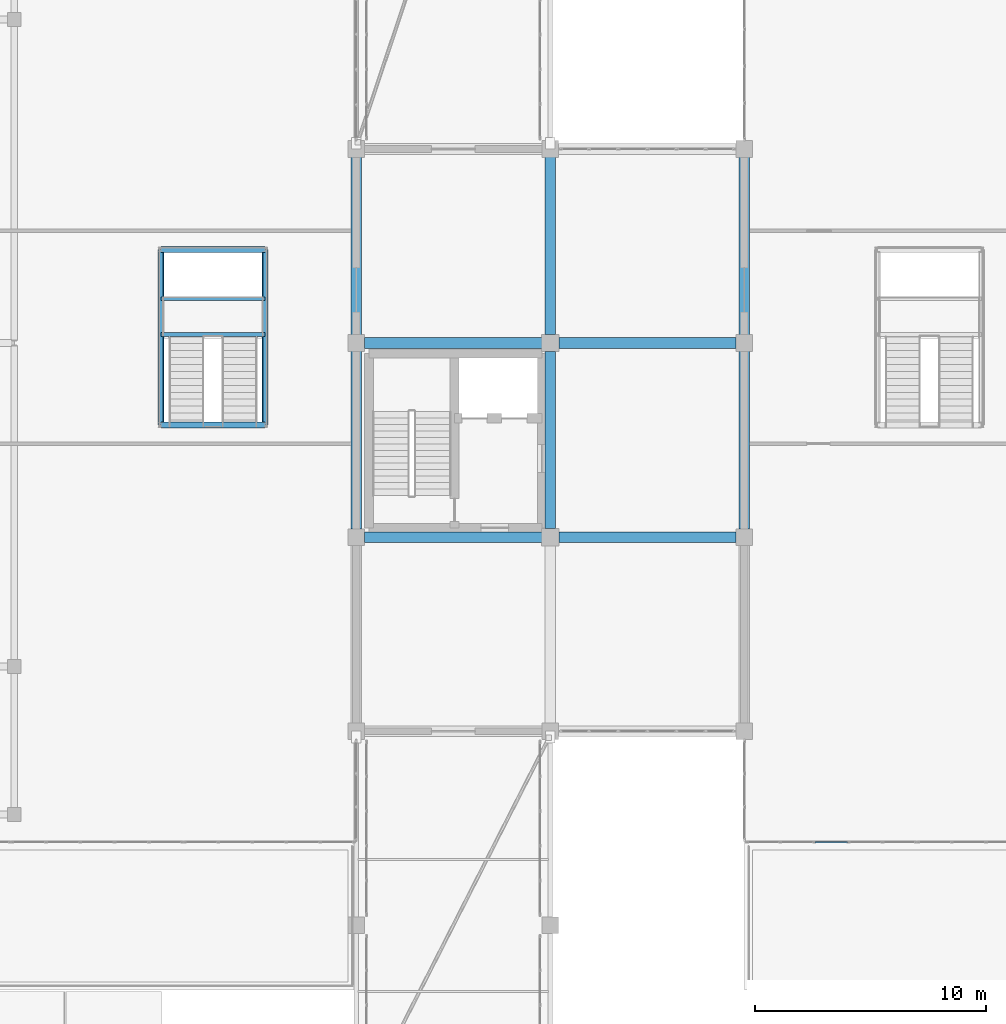
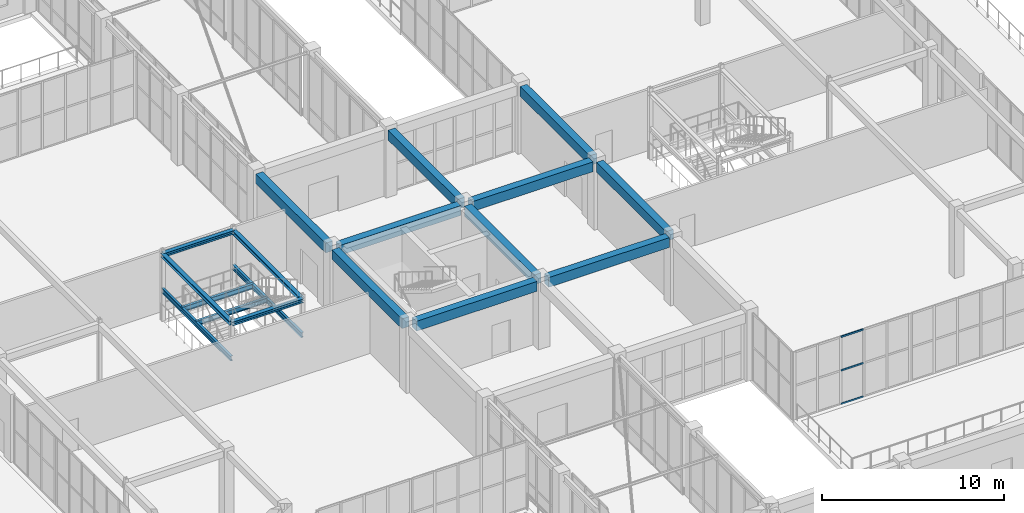
# One storey, part 46 of 158: 18 beams, 3 members, 1 element without a shape of its own.
"""IFC4 building model written with IfcOpenShell, lengths in metres."""

import ifcopenshell
import ifcopenshell.guid

model = None  # the IFC model being written
_history = None  # IfcOwnerHistory: only IFC2X3 demands one
_inside = {}  # id of a spatial element -> (the spatial element, [elements in it])
_under = {}  # id of a project, library or spatial element -> (it, [spatial elements below it])
_declared = {}  # id of a project -> (the project, [libraries it declares])
_typed = {}  # id of a type object -> (the type object, [elements of that type])
_made_of = {}  # id of a material, layer set ... -> (it, [elements and type objects made of it])


def new_model(schema):
    """Start an empty IFC model of exactly this schema.

    Asked for "IFC4X3", IfcOpenShell would pick the latest addendum, in which some entities
    have other attributes; the version numbers below select the first issue.
    IFC2X3 requires an IfcOwnerHistory on every rooted entity: one is made here for all.
    """
    global model, _history
    if schema == "IFC4X3":
        model = ifcopenshell.file(schema_version=(4, 3, 0, 0))
    else:
        model = ifcopenshell.file(schema=schema)
    _inside.clear()
    _under.clear()
    _declared.clear()
    _typed.clear()
    _made_of.clear()
    _history = None
    if model.schema == "IFC2X3":
        org = make("IfcOrganization", Name="unknown")
        user = make(
            "IfcPersonAndOrganization",
            ThePerson=make("IfcPerson", FamilyName="unknown"),
            TheOrganization=org,
        )
        app = make(
            "IfcApplication",
            ApplicationDeveloper=org,
            Version="unknown",
            ApplicationFullName="unknown",
            ApplicationIdentifier="unknown",
        )
        _history = make(
            "IfcOwnerHistory",
            OwningUser=user,
            OwningApplication=app,
            ChangeAction="ADDED",
            CreationDate=0,
        )
    return model


def make(cls, **values):
    """One entity of the class cls with the attributes given. An attribute that is None is left unset."""
    return model.create_entity(
        cls, **{name: value for name, value in values.items() if value is not None}
    )


def rooted(cls, **values):
    """An entity with a GlobalId (a new one), such as an element, a storey or a relation."""
    return make(cls, GlobalId=ifcopenshell.guid.new(), OwnerHistory=_history, **values)


def si_unit(unit_type, name, prefix=None):
    """IfcSIUnit, for example si_unit("LENGTHUNIT", "METRE", prefix="MILLI")."""
    return make("IfcSIUnit", UnitType=unit_type, Prefix=prefix, Name=name)


def assignment(units):
    """IfcUnitAssignment: the units of a project."""
    return None if units is None else make("IfcUnitAssignment", Units=units)


def point(xyz):
    """IfcCartesianPoint."""
    return None if xyz is None else make("IfcCartesianPoint", Coordinates=xyz)


def direction(xyz):
    """IfcDirection."""
    return None if xyz is None else make("IfcDirection", DirectionRatios=xyz)


def frame(location, z_axis=None, x_axis=None):
    """IfcAxis2Placement3D, a coordinate frame: its origin and axes. An axis left out is left unset."""
    return make(
        "IfcAxis2Placement3D",
        Location=point(location),
        Axis=direction(z_axis),
        RefDirection=direction(x_axis),
    )


def frame_2d(location, x_axis=None):
    """IfcAxis2Placement2D, a coordinate frame in the plane: its origin and x axis."""
    return make(
        "IfcAxis2Placement2D", Location=point(location), RefDirection=direction(x_axis)
    )


def origin():
    """The frame at (0, 0, 0) with its axes left unset."""
    return frame((0.0, 0.0, 0.0))


def origin_2d():
    """The frame at (0, 0) in the plane with its x axis left unset."""
    return frame_2d((0.0, 0.0))


def place(relative_to, where):
    """IfcLocalPlacement: puts the frame where relative to a parent placement (None: the world)."""
    return make(
        "IfcLocalPlacement", PlacementRelTo=relative_to, RelativePlacement=where
    )


def context(
    kind, dimensions, precision=None, world=None, true_north=None, identifier=None
):
    """IfcGeometricRepresentationContext, for example the 3D "Model" context."""
    return make(
        "IfcGeometricRepresentationContext",
        ContextIdentifier=identifier,
        ContextType=kind,
        CoordinateSpaceDimension=dimensions,
        Precision=precision,
        WorldCoordinateSystem=world,
        TrueNorth=true_north,
    )


def subcontext(parent, identifier, kind, view, scale=None):
    """IfcGeometricRepresentationSubContext, for example "Body" below "Model"."""
    return make(
        "IfcGeometricRepresentationSubContext",
        ContextIdentifier=identifier,
        ContextType=kind,
        ParentContext=parent,
        TargetScale=scale,
        TargetView=view,
    )


def project(units=None, contexts=None):
    """IfcProject with its units and contexts."""
    return rooted(
        "IfcProject",
        Name="project",
        RepresentationContexts=contexts,
        UnitsInContext=assignment(units),
    )


def spatial(cls, under=None, at=None, **own):
    """A site, building, storey or space (cls), placed at a placement, below another one or the project."""
    s = rooted(cls, ObjectPlacement=at, **own)
    if under is not None:
        _under.setdefault(under.id(), (under, []))[1].append(s)
    return s


def profile(cls, at=None, kind="AREA", **sizes):
    """A parametric profile (cls). Its sizes go by their IFC names, for example OverallWidth=200.0."""
    return make(cls, ProfileType=kind, Position=at, **sizes)


def rectangle(**sizes):
    """IfcRectangleProfileDef."""
    return profile("IfcRectangleProfileDef", **sizes)


def hollow_rectangle(**sizes):
    """IfcRectangleHollowProfileDef."""
    return profile("IfcRectangleHollowProfileDef", **sizes)


def i_section(**sizes):
    """IfcIShapeProfileDef."""
    return profile("IfcIShapeProfileDef", **sizes)


def extrude(swept, where, along, depth):
    """IfcExtrudedAreaSolid: the profile swept, set in the frame where, extruded along a direction by depth."""
    return make(
        "IfcExtrudedAreaSolid",
        SweptArea=swept,
        Position=where,
        ExtrudedDirection=direction(along),
        Depth=depth,
    )


def shape(context_of_items, identifier, shape_type, items):
    """IfcShapeRepresentation: the items that make up one representation, for example the "Body"."""
    return make(
        "IfcShapeRepresentation",
        ContextOfItems=context_of_items,
        RepresentationIdentifier=identifier,
        RepresentationType=shape_type,
        Items=items,
    )


def material(Name=None, Category=None):
    """IfcMaterial."""
    return make("IfcMaterial", Name=Name, Category=Category)


def layer(
    of_material, thickness, ventilated=None, Name=None, Category=None, Priority=None
):
    """IfcMaterialLayer: one layer of a wall or slab, of a material (None: an air gap)."""
    return make(
        "IfcMaterialLayer",
        Material=of_material,
        LayerThickness=thickness,
        IsVentilated=ventilated,
        Name=Name,
        Category=Category,
        Priority=Priority,
    )


def layer_set(layers, Name=None):
    """IfcMaterialLayerSet."""
    return make("IfcMaterialLayerSet", MaterialLayers=layers, LayerSetName=Name)


def material_profile(
    of_material, cross_section, Name=None, Category=None, Priority=None
):
    """IfcMaterialProfile: a cross section and its material."""
    return make(
        "IfcMaterialProfile",
        Name=Name,
        Material=of_material,
        Profile=cross_section,
        Priority=Priority,
        Category=Category,
    )


def profile_set(profiles, Name=None, composite=None):
    """IfcMaterialProfileSet."""
    return make(
        "IfcMaterialProfileSet",
        Name=Name,
        MaterialProfiles=profiles,
        CompositeProfile=composite,
    )


def made_of(thing, what):
    """Note that an element or type object is made of a material, layer set ...; save() writes the relation."""
    if what is not None:
        _made_of.setdefault(what.id(), (what, []))[1].append(thing)
    return thing


def type_object(cls, material=None, **own):
    """A type object (cls), such as IfcWallType, which elements share."""
    return made_of(rooted(cls, **own), material)


def element(
    cls,
    number,
    at=None,
    inside=None,
    cuts=None,
    type_object=None,
    material=None,
    context=None,
    identifier="Body",
    shape_type=None,
    held_by="IfcProductDefinitionShape",
    body=None,
    shapes=None,
    **own,
):
    """One element of the class cls, such as IfcWall. Its Tag is "e" and its number.

    at: its placement. inside: the storey or other place that contains it. cuts: it is an
    opening in that element (IfcRelVoidsElement). A single representation is given by context,
    identifier, shape_type and body (its items); several are given by shapes. held_by: the class
    of the entity that holds the representations. save() writes the other relations.
    """
    e = rooted(cls, Tag="e%d" % number, ObjectPlacement=at, **own)
    if body is not None:
        shapes = [shape(context, identifier, shape_type, body)]
    if shapes is not None:
        e.Representation = make(held_by, Representations=shapes)
    if inside is not None:
        _inside.setdefault(inside.id(), (inside, []))[1].append(e)
    if cuts is not None:
        rooted(
            "IfcRelVoidsElement", RelatingBuildingElement=cuts, RelatedOpeningElement=e
        )
    if type_object is not None:
        _typed.setdefault(type_object.id(), (type_object, []))[1].append(e)
    return made_of(e, material)


def aggregate(whole, parts):
    """IfcRelAggregates: a whole, such as a stair, and the parts it consists of."""
    return rooted("IfcRelAggregates", RelatingObject=whole, RelatedObjects=parts)


def save(model, path):
    """Write the relations noted so far, then the file.

    IfcRelAggregates (storeys below a building ...), IfcRelContainedInSpatialStructure (elements
    in a storey), IfcRelDefinesByType, IfcRelAssociatesMaterial and IfcRelDeclares: one each for
    every whole, place, type object, material and project.
    """
    for whole, parts in _under.values():
        aggregate(whole, parts)
    for where, things in _inside.values():
        rooted(
            "IfcRelContainedInSpatialStructure",
            RelatedElements=things,
            RelatingStructure=where,
        )
    for kind, things in _typed.values():
        rooted("IfcRelDefinesByType", RelatedObjects=things, RelatingType=kind)
    for what, things in _made_of.values():
        rooted("IfcRelAssociatesMaterial", RelatedObjects=things, RelatingMaterial=what)
    for by, libraries in _declared.values():
        rooted("IfcRelDeclares", RelatingContext=by, RelatedDefinitions=libraries)
    model.write(path)


model = new_model("IFC4")

# Units and contexts
model_context = context("Model", 3, precision=1e-05, world=origin(), true_north=direction((0.0, 1.0)))
body_context = subcontext(model_context, "Body", "Model", "MODEL_VIEW")
ifc_project = project(units=[si_unit("LENGTHUNIT", "METRE"), si_unit("AREAUNIT", "SQUARE_METRE"), si_unit("VOLUMEUNIT", "CUBIC_METRE"), si_unit("PLANEANGLEUNIT", "RADIAN"), si_unit("MASSUNIT", "GRAM", prefix="KILO")], contexts=[model_context])

# Site, building, storey
site_placement = place(None, origin())
site = spatial("IfcSite", under=ifc_project, at=site_placement, CompositionType="ELEMENT")
building_placement = place(site_placement, origin())
building = spatial("IfcBuilding", under=site, at=building_placement, Name="Trelvath General Hospital", CompositionType="ELEMENT")
storey_placement = place(building_placement, frame((0.0, 0.0, 8.10009765625)))
storey = spatial("IfcBuildingStorey", under=building, at=storey_placement, Name="L02", CompositionType="ELEMENT", Elevation=8.10009765625)

# Beams
ifc_material_1 = material(Name="Concrete C35/45", Category="concrete")
ifc_material_profile_1 = material_profile(ifc_material_1, rectangle(XDim=0.449951171875, YDim=0.64990234375, at=origin_2d()), Name="RCB450x650")
ifc_profile_set_1 = profile_set([ifc_material_profile_1], Name="Concrete C35/45")
beam_type_1 = type_object("IfcBeamType", Name="Beam RC450x650", PredefinedType="BEAM", material=ifc_profile_set_1)
beam_1_placement = place(storey_placement, frame((75.60009765625, 50.7548828125, 4.19482421875), z_axis=(0.0, 1.0, 0.0), x_axis=(-1.0, 0.0, 0.0)))
element("IfcBeam", 1, at=beam_1_placement, inside=storey, type_object=beam_type_1, Name="Grid Beam BY-209G", PredefinedType="BEAM", context=body_context, shape_type="SweptSolid", body=[
    extrude(rectangle(XDim=0.449951171875, YDim=0.64990234375, at=origin_2d()), origin(), (0.0, 0.0, 1.0), 7.690185546875),
])
beam_2_placement = place(storey_placement, frame((75.60009765625, 59.155029296875, 4.19482421875), z_axis=(0.0, 1.0, 0.0), x_axis=(-1.0, 0.0, 0.0)))
element("IfcBeam", 2, at=beam_2_placement, inside=storey, type_object=beam_type_1, Name="Grid Beam BY-209H", PredefinedType="BEAM", context=body_context, shape_type="SweptSolid", body=[
    extrude(rectangle(XDim=0.449951171875, YDim=0.64990234375, at=origin_2d()), origin(), (0.0, 0.0, 1.0), 7.68994140625),
])
beam_3_placement = place(storey_placement, frame((84.0, 50.77001953125, 4.19482421875), z_axis=(0.0, 1.0, 0.0), x_axis=(-1.0, 0.0, 0.0)))
element("IfcBeam", 3, at=beam_3_placement, inside=storey, type_object=beam_type_1, Name="Grid Beam BY-210G", PredefinedType="BEAM", context=body_context, shape_type="SweptSolid", body=[
    extrude(rectangle(XDim=0.449951171875, YDim=0.64990234375, at=origin_2d()), origin(), (0.0, 0.0, 1.0), 7.659912109375),
])
beam_4_placement = place(storey_placement, frame((84.0, 59.169921875, 4.19482421875), z_axis=(0.0, 1.0, 0.0), x_axis=(-1.0, 0.0, 0.0)))
element("IfcBeam", 4, at=beam_4_placement, inside=storey, type_object=beam_type_1, Name="Grid Beam BY-210H", PredefinedType="BEAM", context=body_context, shape_type="SweptSolid", body=[
    extrude(rectangle(XDim=0.449951171875, YDim=0.64990234375, at=origin_2d()), origin(), (0.0, 0.0, 1.0), 7.675048828125),
])
beam_5_placement = place(storey_placement, frame((92.39990234375, 50.7548828125, 4.19482421875), z_axis=(0.0, 1.0, 0.0), x_axis=(-1.0, 0.0, 0.0)))
element("IfcBeam", 5, at=beam_5_placement, inside=storey, type_object=beam_type_1, Name="Grid Beam BY-211G", PredefinedType="BEAM", context=body_context, shape_type="SweptSolid", body=[
    extrude(rectangle(XDim=0.449951171875, YDim=0.64990234375, at=origin_2d()), origin(), (0.0, 0.0, 1.0), 7.690185546875),
])
beam_6_placement = place(storey_placement, frame((92.39990234375, 59.155029296875, 4.19482421875), z_axis=(0.0, 1.0, 0.0), x_axis=(-1.0, 0.0, 0.0)))
element("IfcBeam", 6, at=beam_6_placement, inside=storey, type_object=beam_type_1, Name="Grid Beam BY-211H", PredefinedType="BEAM", context=body_context, shape_type="SweptSolid", body=[
    extrude(rectangle(XDim=0.449951171875, YDim=0.64990234375, at=origin_2d()), origin(), (0.0, 0.0, 1.0), 7.68994140625),
])
ifc_material_2 = material(Name="Concrete C35/45", Category="concrete")
ifc_material_profile_2 = material_profile(ifc_material_2, rectangle(XDim=0.4599609375, YDim=0.659912109375, at=origin_2d()), Name="RCB460x660")
ifc_profile_set_2 = profile_set([ifc_material_profile_2], Name="Concrete C35/45")
beam_type_2 = type_object("IfcBeamType", Name="Beam RC460x660", PredefinedType="BEAM", material=ifc_profile_set_2)
for number, where, z_axis, x_axis, name in (
    (7, (75.955078125, 50.39990234375, 4.18994140625), (1.0, 0.0, 0.0), (0.0, 1.0, 0.0), "Grid Beam BX-209G"),
    (8, (75.955078125, 58.800048828125, 4.18994140625), (1.0, 0.0, 0.0), (0.0, 1.0, 0.0), "Grid Beam BX-209H"),
    (9, (84.3701171875, 50.39990234375, 4.18994140625), (1.0, 0.0, 0.0), (0.0, 1.0, 0.0), "Grid Beam BX-210G"),
    (10, (84.3701171875, 58.800048828125, 4.18994140625), (1.0, 0.0, 0.0), (0.0, 1.0, 0.0), "Grid Beam BX-210H"),
):
    element("IfcBeam", number, at=place(storey_placement, frame(where, z_axis=z_axis, x_axis=x_axis)), inside=storey, type_object=beam_type_2, Name=name, PredefinedType="BEAM", context=body_context, shape_type="SweptSolid", body=[
        extrude(rectangle(XDim=0.4599609375, YDim=0.659912109375, at=origin_2d()), origin(), (0.0, 0.0, 1.0), 7.6748046875),
    ])

# Curtain wall, members
ifc_material_3 = material(Name="Anodised aluminium and low-E glass", Category="aluminium")
ifc_layer = layer(ifc_material_3, 0.139892578125)
ifc_layer_set = layer_set([ifc_layer], Name="Anodised aluminium and low-E glass")
curtain_wall_type = type_object("IfcCurtainWallType", Name="CW CrystalCube 737 456 14", PredefinedType="USERDEFINED", material=ifc_layer_set)
curtain_wall_placement = place(storey_placement, origin())
curtain_wall = element("IfcCurtainWall", 11, at=curtain_wall_placement, inside=storey, type_object=curtain_wall_type, Name="Crystal Cube Curtain Wall CUBE-E-T1 S1 L02", ObjectType="Unitised Glazed Curtain Wall", PredefinedType="USERDEFINED")
ifc_material_4 = material(Name="Anodised aluminium", Category="aluminium")
ifc_material_profile_3 = material_profile(ifc_material_4, hollow_rectangle(XDim=0.06005859375, YDim=0.110107421875, WallThickness=0.00390625, at=origin_2d()), Name="RHS60x110x4")
ifc_profile_set_3 = profile_set([ifc_material_profile_3], Name="Anodised aluminium")
member_type = type_object("IfcMemberType", Name="CurtainTransom 60x110", PredefinedType="USERDEFINED", material=ifc_profile_set_3)
member_1_placement = place(storey_placement, frame((96.8701171875, 37.199951171875, 0.02978515625), z_axis=(-1.0, 0.0, 0.0), x_axis=(0.0, -1.0, 0.0)))
member_1 = element("IfcMember", 12, at=member_1_placement, type_object=member_type, Name="CW-205 transom 3.1", ObjectType="TRANSOM", PredefinedType="USERDEFINED", context=body_context, shape_type="SweptSolid", body=[
    extrude(hollow_rectangle(XDim=0.06005859375, YDim=0.110107421875, WallThickness=0.00390625, at=origin_2d()), origin(), (0.0, 0.0, 1.0), 1.413330078125),
])
member_2_placement = place(storey_placement, frame((96.8701171875, 37.199951171875, 2.27978515625), z_axis=(-1.0, 0.0, 0.0), x_axis=(0.0, -1.0, 0.0)))
member_2 = element("IfcMember", 13, at=member_2_placement, type_object=member_type, Name="CW-205 transom 3.2", ObjectType="TRANSOM", PredefinedType="USERDEFINED", context=body_context, shape_type="SweptSolid", body=[
    extrude(hollow_rectangle(XDim=0.06005859375, YDim=0.110107421875, WallThickness=0.00390625, at=origin_2d()), origin(), (0.0, 0.0, 1.0), 1.413330078125),
])
member_3_placement = place(storey_placement, frame((96.8701171875, 37.199951171875, 4.52978515625), z_axis=(-1.0, 0.0, 0.0), x_axis=(0.0, -1.0, 0.0)))
member_3 = element("IfcMember", 14, at=member_3_placement, type_object=member_type, Name="CW-205 transom 3.3", ObjectType="TRANSOM", PredefinedType="USERDEFINED", context=body_context, shape_type="SweptSolid", body=[
    extrude(hollow_rectangle(XDim=0.06005859375, YDim=0.110107421875, WallThickness=0.00390625, at=origin_2d()), origin(), (0.0, 0.0, 1.0), 1.413330078125),
])
aggregate(curtain_wall, [member_1, member_2, member_3])

# Beams
ifc_material_5 = material(Name="Steel S355", Category="steel")
ifc_material_profile_4 = material_profile(ifc_material_5, i_section(OverallWidth=0.260009765625, OverallDepth=0.25, WebThickness=0.007568359375, FlangeThickness=0.012451171875, at=origin_2d()), Name="HEA260")
ifc_profile_set_4 = profile_set([ifc_material_profile_4], Name="Steel S355")
beam_type_3 = type_object("IfcBeamType", Name="RingBeam HEA260", PredefinedType="BEAM", material=ifc_profile_set_4)
for number, where, z_axis, x_axis, name in (
    (15, (67.14990234375, 55.25, 4.414794921875), (1.0, 0.0, 0.0), (0.0, 1.0, 0.0), "Atrium Ring Beam CUBE-W S L02"),
    (16, (67.14990234375, 62.85009765625, 4.414794921875), (1.0, 0.0, 0.0), (0.0, 1.0, 0.0), "Atrium Ring Beam CUBE-W N L02"),
):
    element("IfcBeam", number, at=place(storey_placement, frame(where, z_axis=z_axis, x_axis=x_axis)), inside=storey, type_object=beam_type_3, Name=name, PredefinedType="BEAM", context=body_context, shape_type="SweptSolid", body=[
        extrude(i_section(OverallWidth=0.260009765625, OverallDepth=0.25, WebThickness=0.007568359375, FlangeThickness=0.012451171875, at=origin_2d()), origin(), (0.0, 0.0, 1.0), 4.5),
    ])
for number, where, z_axis, x_axis, name in (
    (17, (67.14990234375, 55.25, 4.414794921875), (0.0, 1.0, 0.0), (-1.0, 0.0, 0.0), "Atrium Ring Beam CUBE-W W L02"),
    (18, (71.64990234375, 55.25, 4.414794921875), (0.0, 1.0, 0.0), (-1.0, 0.0, 0.0), "Atrium Ring Beam CUBE-W E L02"),
):
    element("IfcBeam", number, at=place(storey_placement, frame(where, z_axis=z_axis, x_axis=x_axis)), inside=storey, type_object=beam_type_3, Name=name, PredefinedType="BEAM", context=body_context, shape_type="SweptSolid", body=[
        extrude(i_section(OverallWidth=0.260009765625, OverallDepth=0.25, WebThickness=0.007568359375, FlangeThickness=0.012451171875, at=origin_2d()), origin(), (0.0, 0.0, 1.0), 7.60009765625),
    ])
ifc_material_6 = material(Name="Steel S355", Category="steel")
ifc_material_profile_5 = material_profile(ifc_material_6, i_section(OverallWidth=0.159912109375, OverallDepth=0.330078125, WebThickness=0.007568359375, FlangeThickness=0.011474609375, at=origin_2d()), Name="IPE330")
ifc_profile_set_5 = profile_set([ifc_material_profile_5], Name="Steel S355")
beam_type_4 = type_object("IfcBeamType", Name="StairLandingBeam IPE330", PredefinedType="BEAM", material=ifc_profile_set_5)
for number, where, z_axis, x_axis, name in (
    (19, (67.14990234375, 55.25, 2.034912109375), (0.0, 1.0, 0.0), (-1.0, 0.0, 0.0), "Cube Stair Stringer Beam CUBE-W W L02"),
    (20, (71.64990234375, 55.25, 2.034912109375), (0.0, 1.0, 0.0), (-1.0, 0.0, 0.0), "Cube Stair Stringer Beam CUBE-W E L02"),
):
    element("IfcBeam", number, at=place(storey_placement, frame(where, z_axis=z_axis, x_axis=x_axis)), inside=storey, type_object=beam_type_4, Name=name, PredefinedType="BEAM", context=body_context, shape_type="SweptSolid", body=[
        extrude(i_section(OverallWidth=0.159912109375, OverallDepth=0.330078125, WebThickness=0.007568359375, FlangeThickness=0.011474609375, at=origin_2d()), origin(), (0.0, 0.0, 1.0), 7.60009765625),
    ])
for number, where, z_axis, x_axis, name in (
    (21, (67.14990234375, 59.169921875, 2.034912109375), (1.0, 0.0, 0.0), (0.0, 1.0, 0.0), "Cube Landing Cross Beam CUBE-W S L02"),
    (22, (67.14990234375, 60.719970703125, 2.034912109375), (1.0, 0.0, 0.0), (0.0, 1.0, 0.0), "Cube Landing Cross Beam CUBE-W N L02"),
):
    element("IfcBeam", number, at=place(storey_placement, frame(where, z_axis=z_axis, x_axis=x_axis)), inside=storey, type_object=beam_type_4, Name=name, PredefinedType="BEAM", context=body_context, shape_type="SweptSolid", body=[
        extrude(i_section(OverallWidth=0.159912109375, OverallDepth=0.330078125, WebThickness=0.007568359375, FlangeThickness=0.011474609375, at=origin_2d()), origin(), (0.0, 0.0, 1.0), 4.5),
    ])

save(model, "model.ifc")
